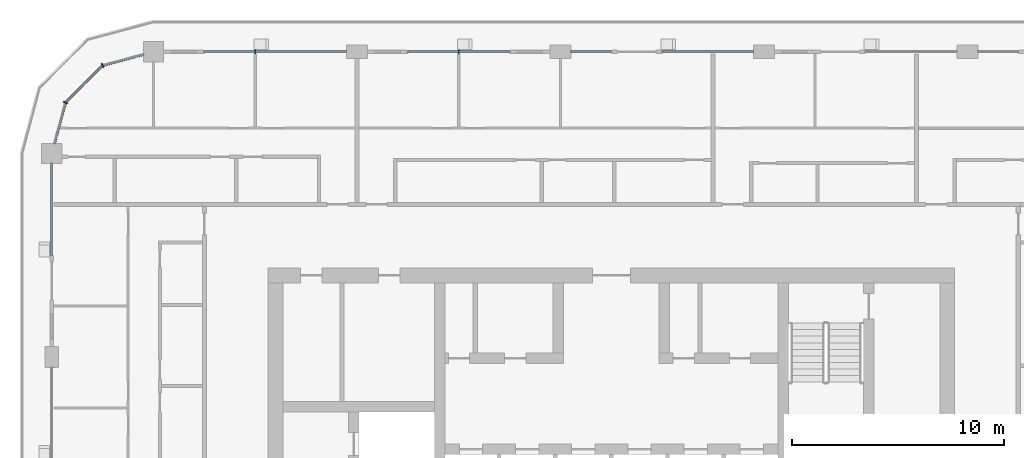
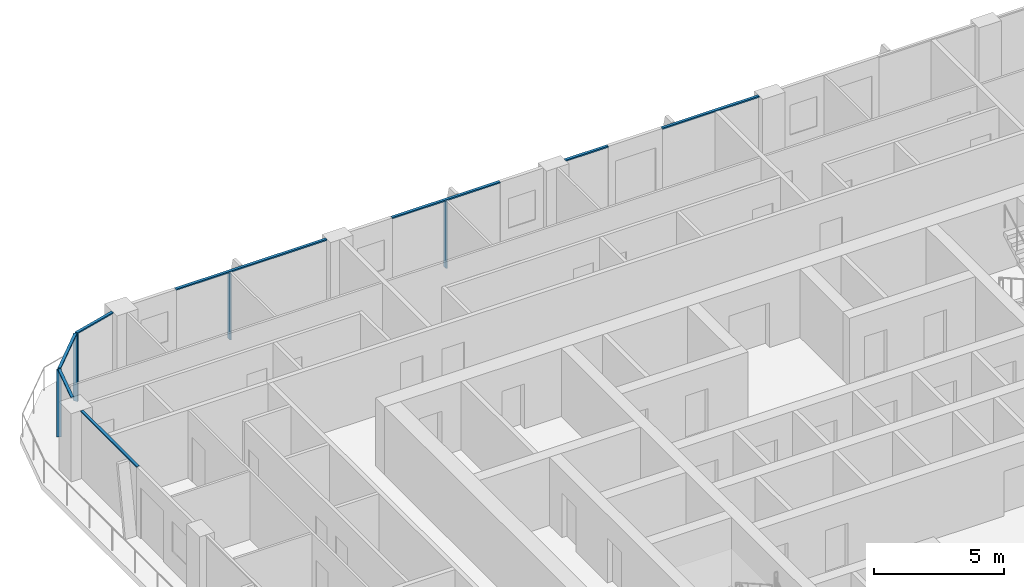
# One storey, part 5 of 22: 12 members, 5 elements without a shape of their own.
"""IFC4 building model written with IfcOpenShell, lengths in metres."""

from ifc_helpers import new_model, si_unit, direction, frame, origin, origin_2d, place, context, subcontext, project, spatial, rectangle, extrude, material, layer, layer_set, material_profile, profile_set, type_object, element, aggregate, save


model = new_model("IFC4")

# Units and contexts
model_context = context("Model", 3, precision=1e-05, world=origin(), true_north=direction((0.0, 1.0)))
body_context = subcontext(model_context, "Body", "Model", "MODEL_VIEW")
ifc_project = project(units=[si_unit("LENGTHUNIT", "METRE"), si_unit("AREAUNIT", "SQUARE_METRE"), si_unit("VOLUMEUNIT", "CUBIC_METRE"), si_unit("PLANEANGLEUNIT", "RADIAN"), si_unit("MASSUNIT", "GRAM", prefix="KILO")], contexts=[model_context])

# Site, building, storey
site_placement = place(None, origin())
site = spatial("IfcSite", under=ifc_project, at=site_placement, CompositionType="ELEMENT")
building_placement = place(site_placement, origin())
building = spatial("IfcBuilding", under=site, at=building_placement, Name="Madar Terraces", CompositionType="ELEMENT")
storey_placement = place(building_placement, frame((0.0, 0.0, 189.39990234375)))
storey = spatial("IfcBuildingStorey", under=building, at=storey_placement, Name="L49", CompositionType="ELEMENT", Elevation=189.39990234375)

# Curtain wall, member
ifc_material_1 = material(Name="Glass, ceramic frit dark grey, with black aluminium frame", Category="aluminium")
ifc_layer = layer(ifc_material_1, 0.199951171875)
ifc_layer_set = layer_set([ifc_layer], Name="Facade curtain wall, fritted glass")
curtain_wall_type = type_object("IfcCurtainWallType", Name="Facade curtain wall, fritted glass", PredefinedType="NOTDEFINED", material=ifc_layer_set)
curtain_wall_1_placement = place(storey_placement, origin())
curtain_wall_1 = element("IfcCurtainWall", 1, at=curtain_wall_1_placement, inside=storey, type_object=curtain_wall_type, Name="Outer skin curtain wall north bay 4", PredefinedType="NOTDEFINED")
ifc_material_2 = material(Name="Aluminium, black anodised", Category="aluminium")
ifc_material_profile_1 = material_profile(ifc_material_2, rectangle(XDim=0.199951171875, YDim=0.06005859375, at=origin_2d()), Name="Facade mullion 60x200")
ifc_profile_set_1 = profile_set([ifc_material_profile_1], Name="Aluminium, black anodised")
member_type_1 = type_object("IfcMemberType", Name="Facade mullion 60x200", PredefinedType="MULLION", material=ifc_profile_set_1)
member_1_placement = place(storey_placement, frame((24.0, 48.0, 0.0), z_axis=(0.0, 0.0, 1.0), x_axis=(0.0, -1.0, 0.0)))
member_1 = element("IfcMember", 2, at=member_1_placement, type_object=member_type_1, Name="Mullion 1", PredefinedType="MULLION", context=body_context, shape_type="SweptSolid", body=[
    extrude(rectangle(XDim=0.199951171875, YDim=0.06005859375, at=origin_2d()), origin(), (0.0, 0.0, 1.0), 3.14013671875),
])

curtain_wall_2_placement = place(storey_placement, origin())
curtain_wall_2 = element("IfcCurtainWall", 3, at=curtain_wall_2_placement, inside=storey, type_object=curtain_wall_type, Name="Outer skin curtain wall north bay 5", PredefinedType="NOTDEFINED")
member_2_placement = place(storey_placement, frame((14.39990234375, 48.0, 0.0), z_axis=(0.0, 0.0, 1.0), x_axis=(0.0, -1.0, 0.0)))
member_2 = element("IfcMember", 4, at=member_2_placement, type_object=member_type_1, Name="Mullion 1", PredefinedType="MULLION", context=body_context, shape_type="SweptSolid", body=[
    extrude(rectangle(XDim=0.199951171875, YDim=0.06005859375, at=origin_2d()), origin(), (0.0, 0.0, 1.0), 3.14013671875),
])

# Curtain wall, members
curtain_wall_3_placement = place(storey_placement, origin())
curtain_wall_3 = element("IfcCurtainWall", 5, at=curtain_wall_3_placement, inside=storey, type_object=curtain_wall_type, Name="Outer skin curtain wall north-west corner", PredefinedType="NOTDEFINED")
member_3_placement = place(storey_placement, frame((7.199951171875, 47.35693359375, 0.0), z_axis=(0.0, 0.0, 1.0), x_axis=(0.499999989586, -0.866025409797, 0.0)))
member_3 = element("IfcMember", 6, at=member_3_placement, type_object=member_type_1, Name="Mullion 1", PredefinedType="MULLION", context=body_context, shape_type="SweptSolid", body=[
    extrude(rectangle(XDim=0.199951171875, YDim=0.06005859375, at=origin_2d()), origin(), (0.0, 0.0, 1.0), 3.14013671875),
])
member_4_placement = place(storey_placement, frame((5.443115234375, 45.60009765625, 0.0), z_axis=(0.0, 0.0, 1.0), x_axis=(0.866025409797, -0.499999989586, 0.0)))
member_4 = element("IfcMember", 7, at=member_4_placement, type_object=member_type_1, Name="Mullion 2", PredefinedType="MULLION", context=body_context, shape_type="SweptSolid", body=[
    extrude(rectangle(XDim=0.199951171875, YDim=0.06005859375, at=origin_2d()), origin(), (0.0, 0.0, 1.0), 3.14013671875),
])

curtain_wall_4_placement = place(storey_placement, origin())
curtain_wall_4 = element("IfcCurtainWall", 8, at=curtain_wall_4_placement, inside=storey, type_object=curtain_wall_type, Name="Outer skin curtain wall north bay 3", PredefinedType="NOTDEFINED")
ifc_material_3 = material(Name="Aluminium, black anodised", Category="aluminium")
ifc_material_profile_2 = material_profile(ifc_material_3, rectangle(XDim=0.1201171875, YDim=0.06005859375, at=origin_2d()), Name="Facade transom 60x120")
ifc_profile_set_2 = profile_set([ifc_material_profile_2], Name="Aluminium, black anodised")
member_type_2 = type_object("IfcMemberType", Name="Facade transom 60x120", PredefinedType="USERDEFINED", material=ifc_profile_set_2)
member_5_placement = place(storey_placement, frame((37.89990234375, 48.0, 3.170166015625), z_axis=(-1.0, 0.0, 0.0), x_axis=(0.0, -1.0, 0.0)))
member_5 = element("IfcMember", 9, at=member_5_placement, type_object=member_type_2, Name="Transom 1", ObjectType="TRANSOM", PredefinedType="USERDEFINED", context=body_context, shape_type="SweptSolid", body=[
    extrude(rectangle(XDim=0.1201171875, YDim=0.06005859375, at=origin_2d()), origin(), (0.0, 0.0, 1.0), 4.2998046875),
])
member_6_placement = place(storey_placement, frame((31.199951171875, 48.0, 3.170166015625), z_axis=(-1.0, 0.0, 0.0), x_axis=(0.0, -1.0, 0.0)))
member_6 = element("IfcMember", 10, at=member_6_placement, type_object=member_type_2, Name="Transom 2", ObjectType="TRANSOM", PredefinedType="USERDEFINED", context=body_context, shape_type="SweptSolid", body=[
    extrude(rectangle(XDim=0.1201171875, YDim=0.06005859375, at=origin_2d()), origin(), (0.0, 0.0, 1.0), 1.89990234375),
])
aggregate(curtain_wall_4, [member_5, member_6])

# Member
member_7_placement = place(storey_placement, frame((26.39990234375, 48.0, 3.170166015625), z_axis=(-1.0, 0.0, 0.0), x_axis=(0.0, -1.0, 0.0)))
member_7 = element("IfcMember", 11, at=member_7_placement, type_object=member_type_2, Name="Transom 1", ObjectType="TRANSOM", PredefinedType="USERDEFINED", context=body_context, shape_type="SweptSolid", body=[
    extrude(rectangle(XDim=0.1201171875, YDim=0.06005859375, at=origin_2d()), origin(), (0.0, 0.0, 1.0), 4.7998046875),
])

aggregate(curtain_wall_1, [member_1, member_7])

member_8_placement = place(storey_placement, frame((18.699951171875, 48.0, 3.170166015625), z_axis=(-1.0, 0.0, 0.0), x_axis=(0.0, -1.0, 0.0)))
member_8 = element("IfcMember", 12, at=member_8_placement, type_object=member_type_2, Name="Transom 1", ObjectType="TRANSOM", PredefinedType="USERDEFINED", context=body_context, shape_type="SweptSolid", body=[
    extrude(rectangle(XDim=0.1201171875, YDim=0.06005859375, at=origin_2d()), origin(), (0.0, 0.0, 1.0), 6.699951171875),
])

aggregate(curtain_wall_2, [member_2, member_8])

# Curtain wall, member
curtain_wall_5_placement = place(storey_placement, origin())
curtain_wall_5 = element("IfcCurtainWall", 13, at=curtain_wall_5_placement, inside=storey, type_object=curtain_wall_type, Name="Outer skin curtain wall west bay 1", PredefinedType="NOTDEFINED")
member_9_placement = place(storey_placement, frame((4.800048828125, 42.72509765625, 3.170166015625), z_axis=(0.0, -1.0, 0.0), x_axis=(1.0, 0.0, 0.0)))
member_9 = element("IfcMember", 14, at=member_9_placement, type_object=member_type_2, Name="Transom 1", ObjectType="TRANSOM", PredefinedType="USERDEFINED", context=body_context, shape_type="SweptSolid", body=[
    extrude(rectangle(XDim=0.1201171875, YDim=0.06005859375, at=origin_2d()), origin(), (0.0, 0.0, 1.0), 4.3251953125),
])
aggregate(curtain_wall_5, [member_9])

# Member
member_10_placement = place(storey_placement, frame((9.125, 47.872802734375, 3.170166015625), z_axis=(-0.96592251241, -0.258831412352, 0.0), x_axis=(0.258831412352, -0.96592251241, 0.0)))
member_10 = element("IfcMember", 15, at=member_10_placement, type_object=member_type_2, Name="Transom 1", ObjectType="TRANSOM", PredefinedType="USERDEFINED", context=body_context, shape_type="SweptSolid", body=[
    extrude(rectangle(XDim=0.1201171875, YDim=0.06005859375, at=origin_2d()), origin(), (0.0, 0.0, 1.0), 1.962890625),
])

member_11_placement = place(storey_placement, frame((7.1787109375, 47.335693359375, 3.170166015625), z_axis=(-0.707056433593, -0.707157125196, 0.0), x_axis=(0.707157125196, -0.707056433593, 0.0)))
member_11 = element("IfcMember", 16, at=member_11_placement, type_object=member_type_2, Name="Transom 2", ObjectType="TRANSOM", PredefinedType="USERDEFINED", context=body_context, shape_type="SweptSolid", body=[
    extrude(rectangle(XDim=0.1201171875, YDim=0.06005859375, at=origin_2d()), origin(), (0.0, 0.0, 1.0), 2.424560546875),
])

member_12_placement = place(storey_placement, frame((5.435302734375, 45.571044921875, 3.170166015625), z_axis=(-0.258831412352, -0.96592251241, 0.0), x_axis=(0.96592251241, -0.258831412352, 0.0)))
member_12 = element("IfcMember", 17, at=member_12_placement, type_object=member_type_2, Name="Transom 3", ObjectType="TRANSOM", PredefinedType="USERDEFINED", context=body_context, shape_type="SweptSolid", body=[
    extrude(rectangle(XDim=0.1201171875, YDim=0.06005859375, at=origin_2d()), origin(), (0.0, 0.0, 1.0), 1.962890625),
])

aggregate(curtain_wall_3, [member_3, member_10, member_4, member_11, member_12])

save(model, "model.ifc")
